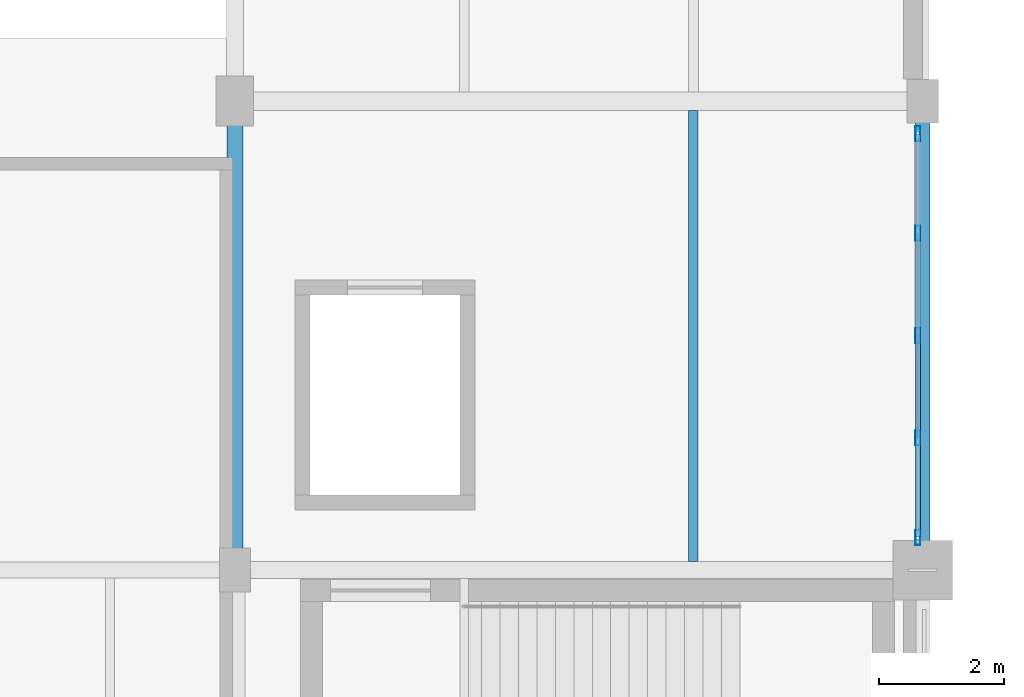
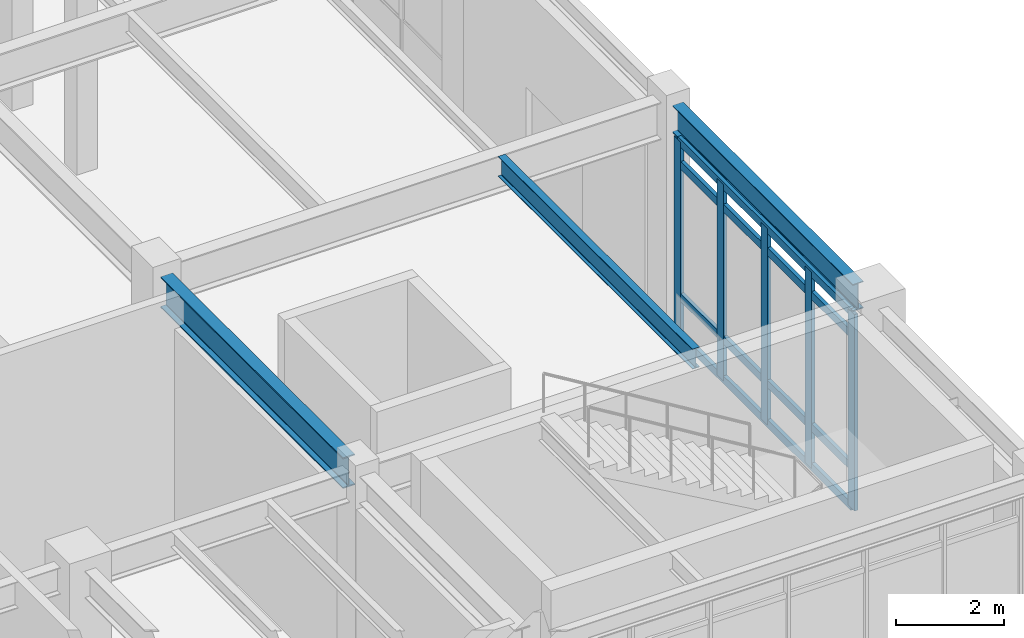
# One storey, part 110 of 203: 9 members, 3 beams, 1 element without a shape of its own.
"""IFC4 building model written with IfcOpenShell, lengths in metres."""

from ifc_helpers import new_model, si_unit, direction, frame, origin, origin_2d, place, context, subcontext, project, spatial, hollow_rectangle, i_section, extrude, material, material_profile, profile_set, type_object, element, aggregate, save


model = new_model("IFC4")

# Units and contexts
model_context = context("Model", 3, precision=1e-05, world=origin(), true_north=direction((0.0, 1.0)))
body_context = subcontext(model_context, "Body", "Model", "MODEL_VIEW")
ifc_project = project(units=[si_unit("LENGTHUNIT", "METRE"), si_unit("AREAUNIT", "SQUARE_METRE"), si_unit("VOLUMEUNIT", "CUBIC_METRE"), si_unit("PLANEANGLEUNIT", "RADIAN"), si_unit("MASSUNIT", "GRAM", prefix="KILO"), si_unit("THERMODYNAMICTEMPERATUREUNIT", "KELVIN"), si_unit("POWERUNIT", "WATT")], contexts=[model_context])

# Site, building, storey
site_placement = place(None, origin())
site = spatial("IfcSite", under=ifc_project, at=site_placement, CompositionType="ELEMENT")
building_placement = place(site_placement, origin())
building = spatial("IfcBuilding", under=site, at=building_placement, Name="Tepalcoro Natatorium and Aquatics Centre", CompositionType="ELEMENT")
storey_placement = place(building_placement, origin())
storey = spatial("IfcBuildingStorey", under=building, at=storey_placement, Name="L00", CompositionType="ELEMENT", Elevation=0.0)

# Beam
ifc_material_1 = material(Name="Steel ASTM A992 Grade 50 (Fy 345 MPa)", Category="steel")
ifc_material_profile_1 = material_profile(ifc_material_1, i_section(OverallWidth=0.25390625, OverallDepth=0.700927734375, WebThickness=0.014892578125, FlangeThickness=0.028076171875, FilletRadius=0.013916015625, at=origin_2d()), Name="W27X129")
ifc_profile_set_1 = profile_set([ifc_material_profile_1], Name="Steel ASTM A992 Grade 50 (Fy 345 MPa)")
beam_type_1 = type_object("IfcBeamType", Name="BM_W27x129", PredefinedType="BEAM", material=ifc_profile_set_1)
beam_1_placement = place(storey_placement, frame((165.0, 13.3349609375, 4.7744140625), z_axis=(0.0, 1.0, 0.0), x_axis=(-1.0, 0.0, 0.0)))
element("IfcBeam", 1, at=beam_1_placement, inside=storey, type_object=beam_type_1, Name="V2 L00 Grid Girder Y", PredefinedType="BEAM", context=body_context, shape_type="SweptSolid", body=[
    extrude(i_section(OverallWidth=0.25390625, OverallDepth=0.700927734375, WebThickness=0.014892578125, FlangeThickness=0.028076171875, FilletRadius=0.013916015625, at=origin_2d()), origin(), (0.0, 0.0, 1.0), 6.780029296875),
])

# Curtain wall, members
ifc_material_2 = material(Name="Bronze-Anodised Extruded Aluminium Alloy EN AW-6063 T6", Category="aluminium")
curtain_wall_type = type_object("IfcCurtainWallType", Name="CW_LEAN_T2_NS", PredefinedType="USERDEFINED", material=ifc_material_2)
curtain_wall_placement = place(storey_placement, origin())
curtain_wall = element("IfcCurtainWall", 2, at=curtain_wall_placement, inside=storey, type_object=curtain_wall_type, Name="V2 L00 E Unitised Curtain Wall Bay 2", ObjectType="FACETED SOLAR GLAZING", PredefinedType="USERDEFINED")
ifc_material_profile_2 = material_profile(ifc_material_2, hollow_rectangle(XDim=0.080078125, YDim=0.239990234375, WallThickness=0.0048828125, at=origin_2d()), Name="AL80X240X5")
ifc_profile_set_2 = profile_set([ifc_material_profile_2], Name="Bronze-Anodised Extruded Aluminium Alloy EN AW-6063 T6")
member_type_1 = type_object("IfcMemberType", Name="CW_MUL_80x240", PredefinedType="MULLION", material=ifc_profile_set_2)
member_1_placement = place(storey_placement, frame((175.923828125, 13.52001953125, 0.02001953125), z_axis=(0.0, 0.0, 1.0), x_axis=(1.0, 0.0, 0.0)))
member_1 = element("IfcMember", 3, at=member_1_placement, type_object=member_type_1, Name="CW_LEAN_T2_NS Curtain Wall Mullion", PredefinedType="MULLION", context=body_context, shape_type="SweptSolid", body=[
    extrude(hollow_rectangle(XDim=0.080078125, YDim=0.239990234375, WallThickness=0.0048828125, at=origin_2d()), origin(), (0.0, 0.0, 1.0), 4.4580078125),
])
member_2_placement = place(storey_placement, frame((175.923828125, 15.114990234375, 0.02001953125), z_axis=(0.0, 0.0, 1.0), x_axis=(1.0, 0.0, 0.0)))
member_2 = element("IfcMember", 4, at=member_2_placement, type_object=member_type_1, Name="CW_LEAN_T2_NS Curtain Wall Mullion", PredefinedType="MULLION", context=body_context, shape_type="SweptSolid", body=[
    extrude(hollow_rectangle(XDim=0.080078125, YDim=0.239990234375, WallThickness=0.0048828125, at=origin_2d()), origin(), (0.0, 0.0, 1.0), 4.4580078125),
])
member_3_placement = place(storey_placement, frame((175.923828125, 16.75, 0.02001953125), z_axis=(0.0, 0.0, 1.0), x_axis=(1.0, 0.0, 0.0)))
member_3 = element("IfcMember", 5, at=member_3_placement, type_object=member_type_1, Name="CW_LEAN_T2_NS Curtain Wall Mullion", PredefinedType="MULLION", context=body_context, shape_type="SweptSolid", body=[
    extrude(hollow_rectangle(XDim=0.080078125, YDim=0.239990234375, WallThickness=0.0048828125, at=origin_2d()), origin(), (0.0, 0.0, 1.0), 4.4580078125),
])
member_4_placement = place(storey_placement, frame((175.923828125, 18.385009765625, 0.02001953125), z_axis=(0.0, 0.0, 1.0), x_axis=(1.0, 0.0, 0.0)))
member_4 = element("IfcMember", 6, at=member_4_placement, type_object=member_type_1, Name="CW_LEAN_T2_NS Curtain Wall Mullion", PredefinedType="MULLION", context=body_context, shape_type="SweptSolid", body=[
    extrude(hollow_rectangle(XDim=0.080078125, YDim=0.239990234375, WallThickness=0.0048828125, at=origin_2d()), origin(), (0.0, 0.0, 1.0), 4.4580078125),
])
member_5_placement = place(storey_placement, frame((175.923828125, 19.97998046875, 0.02001953125), z_axis=(0.0, 0.0, 1.0), x_axis=(1.0, 0.0, 0.0)))
member_5 = element("IfcMember", 7, at=member_5_placement, type_object=member_type_1, Name="CW_LEAN_T2_NS Curtain Wall Mullion", PredefinedType="MULLION", context=body_context, shape_type="SweptSolid", body=[
    extrude(hollow_rectangle(XDim=0.080078125, YDim=0.239990234375, WallThickness=0.0048828125, at=origin_2d()), origin(), (0.0, 0.0, 1.0), 4.4580078125),
])
ifc_material_profile_3 = material_profile(ifc_material_2, hollow_rectangle(XDim=0.080078125, YDim=0.179931640625, WallThickness=0.0048828125, at=origin_2d()), Name="AL80X180X5")
ifc_profile_set_3 = profile_set([ifc_material_profile_3], Name="Bronze-Anodised Extruded Aluminium Alloy EN AW-6063 T6")
member_type_2 = type_object("IfcMemberType", Name="CW_TRN_80x180", PredefinedType="USERDEFINED", material=ifc_profile_set_3)
member_6_placement = place(storey_placement, frame((175.923828125, 13.530029296875, 0.050048828125), z_axis=(0.0, 1.0, 0.0), x_axis=(-1.0, 0.0, 0.0)))
member_6 = element("IfcMember", 8, at=member_6_placement, type_object=member_type_2, Name="CW_LEAN_T2_NS Curtain Wall Transom", ObjectType="TRANSOM", PredefinedType="USERDEFINED", context=body_context, shape_type="SweptSolid", body=[
    extrude(hollow_rectangle(XDim=0.080078125, YDim=0.179931640625, WallThickness=0.0048828125, at=origin_2d()), origin(), (0.0, 0.0, 1.0), 6.43994140625),
])
member_7_placement = place(storey_placement, frame((175.923828125, 13.530029296875, 0.949951171875), z_axis=(0.0, 1.0, 0.0), x_axis=(-1.0, 0.0, 0.0)))
member_7 = element("IfcMember", 9, at=member_7_placement, type_object=member_type_2, Name="CW_LEAN_T2_NS Curtain Wall Transom", ObjectType="TRANSOM", PredefinedType="USERDEFINED", context=body_context, shape_type="SweptSolid", body=[
    extrude(hollow_rectangle(XDim=0.080078125, YDim=0.179931640625, WallThickness=0.0048828125, at=origin_2d()), origin(), (0.0, 0.0, 1.0), 6.43994140625),
])
member_8_placement = place(storey_placement, frame((175.923828125, 13.530029296875, 3.947998046875), z_axis=(0.0, 1.0, 0.0), x_axis=(-1.0, 0.0, 0.0)))
member_8 = element("IfcMember", 10, at=member_8_placement, type_object=member_type_2, Name="CW_LEAN_T2_NS Curtain Wall Transom", ObjectType="TRANSOM", PredefinedType="USERDEFINED", context=body_context, shape_type="SweptSolid", body=[
    extrude(hollow_rectangle(XDim=0.080078125, YDim=0.179931640625, WallThickness=0.0048828125, at=origin_2d()), origin(), (0.0, 0.0, 1.0), 6.43994140625),
])
member_9_placement = place(storey_placement, frame((175.923828125, 13.530029296875, 4.447998046875), z_axis=(0.0, 1.0, 0.0), x_axis=(-1.0, 0.0, 0.0)))
member_9 = element("IfcMember", 11, at=member_9_placement, type_object=member_type_2, Name="CW_LEAN_T2_NS Curtain Wall Transom", ObjectType="TRANSOM", PredefinedType="USERDEFINED", context=body_context, shape_type="SweptSolid", body=[
    extrude(hollow_rectangle(XDim=0.080078125, YDim=0.179931640625, WallThickness=0.0048828125, at=origin_2d()), origin(), (0.0, 0.0, 1.0), 6.43994140625),
])
aggregate(curtain_wall, [member_1, member_2, member_3, member_4, member_5, member_6, member_7, member_8, member_9])

# Beams
ifc_material_profile_4 = material_profile(ifc_material_1, i_section(OverallWidth=0.153076171875, OverallDepth=0.455078125, WebThickness=0.008056640625, FlangeThickness=0.012939453125, FilletRadius=0.013916015625, at=origin_2d()), Name="W18X40")
ifc_profile_set_4 = profile_set([ifc_material_profile_4], Name="Steel ASTM A992 Grade 50 (Fy 345 MPa)")
beam_type_2 = type_object("IfcBeamType", Name="JS_W18x40", PredefinedType="JOIST", material=ifc_profile_set_4)
beam_2_placement = place(storey_placement, frame((172.333251953125, 13.133544921875, 4.8974609375), z_axis=(0.0, 1.0, 0.0), x_axis=(-1.0, 0.0, 0.0)))
element("IfcBeam", 12, at=beam_2_placement, inside=storey, type_object=beam_type_2, Name="V2 L00 Floor Joist", PredefinedType="JOIST", context=body_context, shape_type="SweptSolid", body=[
    extrude(i_section(OverallWidth=0.153076171875, OverallDepth=0.455078125, WebThickness=0.008056640625, FlangeThickness=0.012939453125, FilletRadius=0.013916015625, at=origin_2d()), origin(), (0.0, 0.0, 1.0), 7.220458984375),
])
ifc_material_profile_5 = material_profile(ifc_material_1, i_section(OverallWidth=0.22900390625, OverallDepth=0.612060546875, WebThickness=0.011962890625, FlangeThickness=0.02001953125, FilletRadius=0.013916015625, at=origin_2d()), Name="W24X84")
ifc_profile_set_5 = profile_set([ifc_material_profile_5], Name="Steel ASTM A992 Grade 50 (Fy 345 MPa)")
beam_type_3 = type_object("IfcBeamType", Name="SP_W24x84", PredefinedType="SPANDREL", material=ifc_profile_set_5)
beam_3_placement = place(storey_placement, frame((176.0, 13.4599609375, 4.819091796875), z_axis=(0.0, 1.0, 0.0), x_axis=(-1.0, 0.0, 0.0)))
element("IfcBeam", 13, at=beam_3_placement, inside=storey, type_object=beam_type_3, Name="V2 L00 Grid Girder Y", PredefinedType="SPANDREL", context=body_context, shape_type="SweptSolid", body=[
    extrude(i_section(OverallWidth=0.22900390625, OverallDepth=0.612060546875, WebThickness=0.011962890625, FlangeThickness=0.02001953125, FilletRadius=0.013916015625, at=origin_2d()), origin(), (0.0, 0.0, 1.0), 6.705078125),
])

save(model, "model.ifc")
